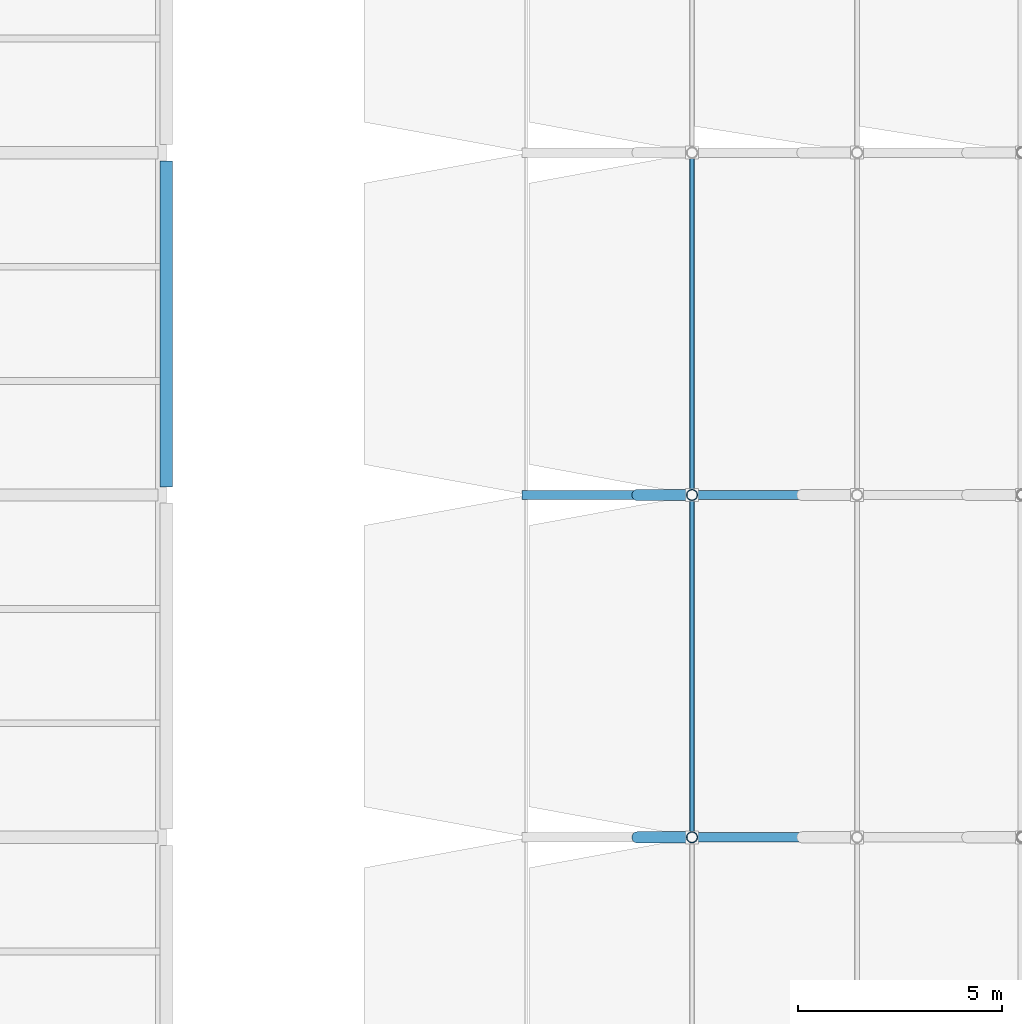
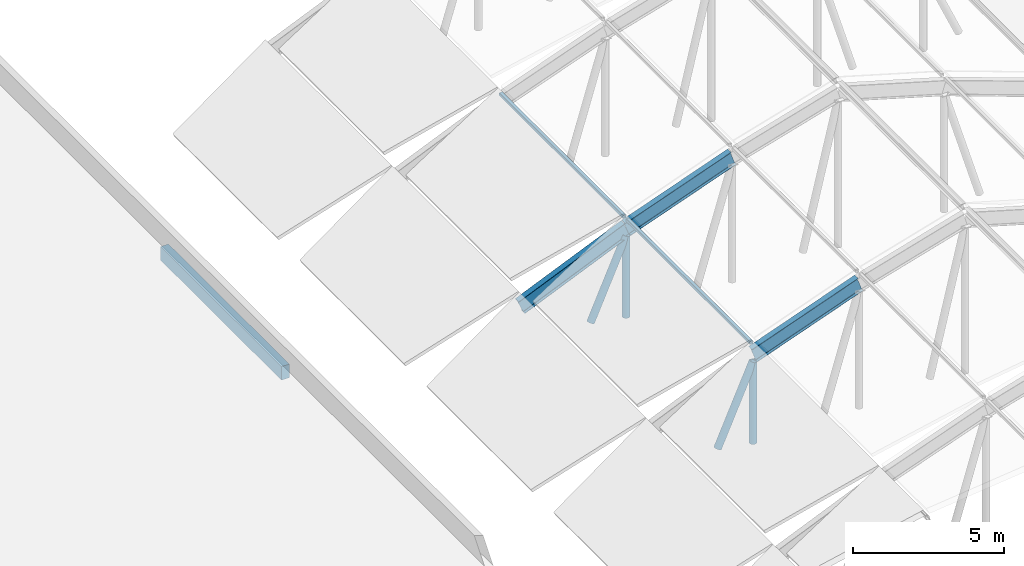
# One storey, part 6 of 22: 6 members, 4 beams.
"""IFC4 building model written with IfcOpenShell, lengths in metres."""

from ifc_helpers import new_model, si_unit, direction, frame, origin, origin_2d, place, context, subcontext, project, spatial, rectangle, hollow_rectangle, hollow_circle, i_section, extrude, material, material_profile, profile_set, type_object, element, save


model = new_model("IFC4")

# Units and contexts
model_context = context("Model", 3, precision=1e-05, world=origin(), true_north=direction((0.0, 1.0)))
body_context = subcontext(model_context, "Body", "Model", "MODEL_VIEW")
ifc_project = project(units=[si_unit("LENGTHUNIT", "METRE"), si_unit("AREAUNIT", "SQUARE_METRE"), si_unit("VOLUMEUNIT", "CUBIC_METRE"), si_unit("PLANEANGLEUNIT", "RADIAN"), si_unit("MASSUNIT", "GRAM", prefix="KILO")], contexts=[model_context])

# Site, building, storey
site_placement = place(None, origin())
site = spatial("IfcSite", under=ifc_project, at=site_placement, CompositionType="ELEMENT")
building_placement = place(site_placement, origin())
building = spatial("IfcBuilding", under=site, at=building_placement, Name="Vireocrest Preparatory School", CompositionType="ELEMENT")
storey_placement = place(building_placement, frame((0.0, 0.0, 25.800048828125)))
storey = spatial("IfcBuildingStorey", under=building, at=storey_placement, Name="RF", CompositionType="ELEMENT", Elevation=25.800048828125)

# Members
ifc_material_1 = material(Name="Painted white steel ASTM A500 Grade C", Category="steel")
ifc_material_profile_1 = material_profile(ifc_material_1, hollow_rectangle(XDim=0.126953125, YDim=0.126953125, WallThickness=0.0087890625, InnerFilletRadius=0.0087890625, OuterFilletRadius=0.017822265625, at=origin_2d()), Name="HSS5X5X3/8")
ifc_profile_set_1 = profile_set([ifc_material_profile_1], Name="Painted white steel ASTM A500 Grade C")
member_type_1 = type_object("IfcMemberType", Name="Canopy Glass Steel Purlin HSS5X5X3/8", PredefinedType="PURLIN", material=ifc_profile_set_1)
for number, where, z_axis, x_axis, name in (
    (1, (71.699951171875, 60.7099609375, 1.33203125), (0.0, 1.0, 0.0), (-1.0, 0.0, 0.0), "Canopy Glass Purlin PR2-5-3"),
    (2, (71.699951171875, 69.110107421875, 1.33203125), (0.0, 1.0, 0.0), (-1.0, 0.0, 0.0), "Canopy Glass Purlin PR2-6-3"),
):
    element("IfcMember", number, at=place(storey_placement, frame(where, z_axis=z_axis, x_axis=x_axis)), inside=storey, type_object=member_type_1, Name=name, PredefinedType="PURLIN", context=body_context, shape_type="SweptSolid", body=[
        extrude(hollow_rectangle(XDim=0.126953125, YDim=0.126953125, WallThickness=0.0087890625, InnerFilletRadius=0.0087890625, OuterFilletRadius=0.017822265625, at=origin_2d()), origin(), (0.0, 0.0, 1.0), 8.179931640625),
    ])

# Beams
ifc_material_2 = material(Name="Structural steel ASTM A992 Grade 50", Category="steel")
ifc_material_profile_2 = material_profile(ifc_material_2, i_section(OverallWidth=0.22802734375, OverallDepth=0.60302734375, WebThickness=0.010498046875, FlangeThickness=0.014892578125, FilletRadius=0.01611328125, at=origin_2d()), Name="W24X68")
ifc_profile_set_2 = profile_set([ifc_material_profile_2], Name="Structural steel ASTM A992 Grade 50")
beam_type_1 = type_object("IfcBeamType", Name="Dining Pavilion Roof Girder W24X68", PredefinedType="BEAM", material=ifc_profile_set_2)
beam_1_placement = place(storey_placement, frame((71.699951171875, 60.60009765625, 0.934326171875), z_axis=(0.9407434664, 0.0, 0.33911905052), x_axis=(0.0, 1.0, 0.0)))
element("IfcBeam", 3, at=beam_1_placement, inside=storey, type_object=beam_type_1, Name="Canopy Rafter Chord SB4-5-3", PredefinedType="BEAM", context=body_context, shape_type="SweptSolid", body=[
    extrude(i_section(OverallWidth=0.22802734375, OverallDepth=0.60302734375, WebThickness=0.010498046875, FlangeThickness=0.014892578125, FilletRadius=0.01611328125, at=origin_2d()), origin(), (0.0, 0.0, 1.0), 4.30517578125),
])
beam_2_placement = place(storey_placement, frame((67.64990234375, 69.0, -0.8056640625), z_axis=(0.918795164694, 0.0, 0.394734651804), x_axis=(0.0, 1.0, 0.0)))
element("IfcBeam", 4, at=beam_2_placement, inside=storey, type_object=beam_type_1, Name="Canopy Rafter Chord SB4-6-2", PredefinedType="BEAM", context=body_context, shape_type="SweptSolid", body=[
    extrude(i_section(OverallWidth=0.22802734375, OverallDepth=0.60302734375, WebThickness=0.010498046875, FlangeThickness=0.014892578125, FilletRadius=0.01611328125, at=origin_2d()), origin(), (0.0, 0.0, 1.0), 4.407958984375),
])
beam_3_placement = place(storey_placement, frame((71.699951171875, 69.0, 0.934326171875), z_axis=(0.9407434664, 0.0, 0.33911905052), x_axis=(0.0, 1.0, 0.0)))
element("IfcBeam", 5, at=beam_3_placement, inside=storey, type_object=beam_type_1, Name="Canopy Rafter Chord SB4-6-3", PredefinedType="BEAM", context=body_context, shape_type="SweptSolid", body=[
    extrude(i_section(OverallWidth=0.22802734375, OverallDepth=0.60302734375, WebThickness=0.010498046875, FlangeThickness=0.014892578125, FilletRadius=0.01611328125, at=origin_2d()), origin(), (0.0, 0.0, 1.0), 4.30517578125),
])
ifc_material_3 = material(Name="Concrete 40 MPa", Category="concrete")
ifc_material_profile_3 = material_profile(ifc_material_3, rectangle(XDim=0.300048828125, YDim=0.550048828125, at=origin_2d()), Name="RC 300x550")
ifc_profile_set_3 = profile_set([ifc_material_profile_3], Name="Concrete 40 MPa")
beam_type_2 = type_object("IfcBeamType", Name="RC Roof Girder 300x550", PredefinedType="BEAM", material=ifc_profile_set_3)
beam_4_placement = place(storey_placement, frame((58.800048828125, 69.199951171875, -0.4951171875), z_axis=(0.0, 1.0, 0.0), x_axis=(-1.0, 0.0, 0.0)))
element("IfcBeam", 6, at=beam_4_placement, inside=storey, type_object=beam_type_2, Name="Primary Girder B02 RF-1717", PredefinedType="BEAM", context=body_context, shape_type="SweptSolid", body=[
    extrude(rectangle(XDim=0.300048828125, YDim=0.550048828125, at=origin_2d()), origin(), (0.0, 0.0, 1.0), 8.0),
])

# Members
ifc_material_profile_4 = material_profile(ifc_material_1, hollow_circle(Radius=0.136474609375, WallThickness=0.0126953125, at=origin_2d()), Name="HSS10.750X0.500")
ifc_profile_set_4 = profile_set([ifc_material_profile_4], Name="Painted white steel ASTM A500 Grade C")
member_type_2 = type_object("IfcMemberType", Name="White Steel Clerestory Strut HSS10.750X0.500", PredefinedType="USERDEFINED", material=ifc_profile_set_4)
member_1_placement = place(storey_placement, frame((71.699951171875, 60.60009765625, -2.62255859375), z_axis=(0.0, 0.0, 1.0), x_axis=(1.0, 0.0, 0.0)))
element("IfcMember", 7, at=member_1_placement, inside=storey, type_object=member_type_2, Name="Canopy Truss Web Vertical VS3-5-3", ObjectType="STRUT", PredefinedType="USERDEFINED", context=body_context, shape_type="SweptSolid", body=[
    extrude(hollow_circle(Radius=0.136474609375, WallThickness=0.0126953125, at=origin_2d()), origin(), (0.0, 0.0, 1.0), 3.280517578125),
])
member_2_placement = place(storey_placement, frame((70.35009765625, 60.60009765625, -2.385009765625), z_axis=(0.405491921788, 0.0, 0.91409862781), x_axis=(0.0, 1.0, 0.0)))
element("IfcMember", 8, at=member_2_placement, inside=storey, type_object=member_type_2, Name="Canopy Truss Web Strut VS3-5-2", ObjectType="STRUT", PredefinedType="USERDEFINED", context=body_context, shape_type="SweptSolid", body=[
    extrude(hollow_circle(Radius=0.136474609375, WallThickness=0.0126953125, at=origin_2d()), origin(), (0.0, 0.0, 1.0), 3.328857421875),
])
member_3_placement = place(storey_placement, frame((71.699951171875, 69.0, -2.62255859375), z_axis=(0.0, 0.0, 1.0), x_axis=(1.0, 0.0, 0.0)))
element("IfcMember", 9, at=member_3_placement, inside=storey, type_object=member_type_2, Name="Canopy Truss Web Vertical VS3-6-3", ObjectType="STRUT", PredefinedType="USERDEFINED", context=body_context, shape_type="SweptSolid", body=[
    extrude(hollow_circle(Radius=0.136474609375, WallThickness=0.0126953125, at=origin_2d()), origin(), (0.0, 0.0, 1.0), 3.280517578125),
])
member_4_placement = place(storey_placement, frame((70.35009765625, 69.0, -2.385009765625), z_axis=(0.405491921788, 0.0, 0.91409862781), x_axis=(0.0, 1.0, 0.0)))
element("IfcMember", 10, at=member_4_placement, inside=storey, type_object=member_type_2, Name="Canopy Truss Web Strut VS3-6-2", ObjectType="STRUT", PredefinedType="USERDEFINED", context=body_context, shape_type="SweptSolid", body=[
    extrude(hollow_circle(Radius=0.136474609375, WallThickness=0.0126953125, at=origin_2d()), origin(), (0.0, 0.0, 1.0), 3.328857421875),
])

save(model, "model.ifc")
